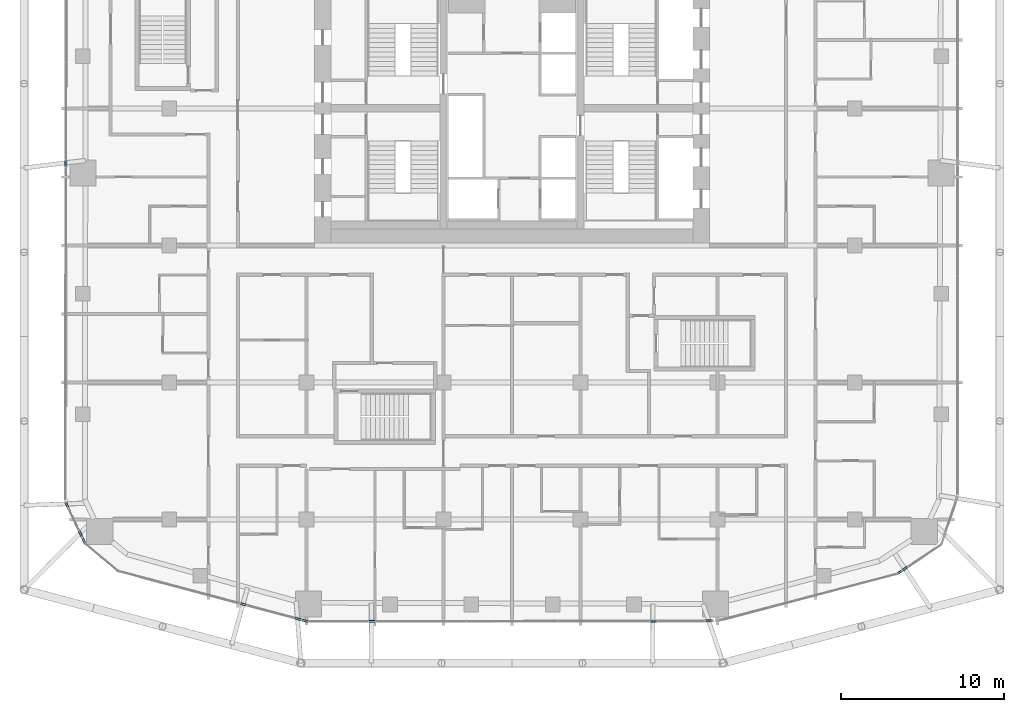
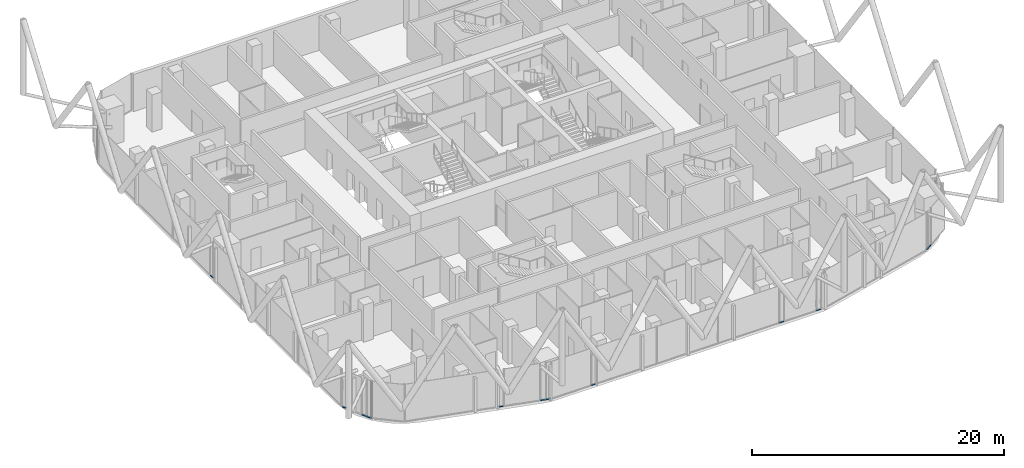
# One storey, part 15 of 36: 12 members, 12 elements without a shape of their own.
"""IFC4 building model written with IfcOpenShell, lengths in metres."""

from ifc_helpers import new_model, si_unit, direction, frame, origin, origin_2d, place, context, subcontext, project, spatial, rectangle, extrude, material, layer, layer_set, material_profile, profile_set, type_object, element, aggregate, save


model = new_model("IFC4")

# Units and contexts
model_context = context("Model", 3, precision=1e-05, world=origin(), true_north=direction((0.0, 1.0)))
body_context = subcontext(model_context, "Body", "Model", "MODEL_VIEW")
ifc_project = project(units=[si_unit("LENGTHUNIT", "METRE"), si_unit("AREAUNIT", "SQUARE_METRE"), si_unit("VOLUMEUNIT", "CUBIC_METRE"), si_unit("PLANEANGLEUNIT", "RADIAN"), si_unit("MASSUNIT", "GRAM", prefix="KILO")], contexts=[model_context])

# Site, building, storey
site_placement = place(None, origin())
site = spatial("IfcSite", under=ifc_project, at=site_placement, CompositionType="ELEMENT")
building_placement = place(site_placement, origin())
building = spatial("IfcBuilding", under=site, at=building_placement, Name="Marenta Gate Hotel Tower", CompositionType="ELEMENT")
storey_placement = place(building_placement, frame((0.0, 0.0, 158.89990234375)))
storey = spatial("IfcBuildingStorey", under=building, at=storey_placement, Name="L37", CompositionType="ELEMENT", Elevation=158.89990234375)

# Curtain wall, member
ifc_material_1 = material(Name="Tinted insulated glass in bronze anodised frame", Category="glass")
ifc_layer = layer(ifc_material_1, 0.1201171875)
ifc_layer_set = layer_set([ifc_layer], Name="Tinted insulated glass in bronze anodised frame")
curtain_wall_type = type_object("IfcCurtainWallType", Name="Tower unitised curtain wall CW1", PredefinedType="NOTDEFINED", material=ifc_layer_set)
curtain_wall_1_placement = place(storey_placement, origin())
curtain_wall_1 = element("IfcCurtainWall", 1, at=curtain_wall_1_placement, inside=storey, type_object=curtain_wall_type, Name="CW1 run G07", PredefinedType="NOTDEFINED")
ifc_material_2 = material(Name="Bronze anodised aluminium", Category="aluminium")
ifc_material_profile = material_profile(ifc_material_2, rectangle(XDim=0.1201171875, YDim=0.06005859375, at=origin_2d()), Name="Transom CW1 60x120 bronze anodised aluminium")
ifc_profile_set = profile_set([ifc_material_profile], Name="Bronze anodised aluminium")
member_type = type_object("IfcMemberType", Name="Transom CW1 60x120 bronze anodised aluminium", PredefinedType="USERDEFINED", material=ifc_profile_set)
member_1_placement = place(storey_placement, frame((-27.34033203125, 5.23193359375, 0.030029296875), z_axis=(-0.00123152616, -0.999999241671, 0.0), x_axis=(0.999999241671, -0.00123152616, 0.0)))
member_1 = element("IfcMember", 2, at=member_1_placement, type_object=member_type, Name="CW1 transom 1.1", ObjectType="TRANSOM", PredefinedType="USERDEFINED", context=body_context, shape_type="SweptSolid", body=[
    extrude(rectangle(XDim=0.1201171875, YDim=0.06005859375, at=origin_2d()), origin(), (0.0, 0.0, 1.0), 0.396484375),
])
aggregate(curtain_wall_1, [member_1])

curtain_wall_2_placement = place(storey_placement, origin())
curtain_wall_2 = element("IfcCurtainWall", 3, at=curtain_wall_2_placement, inside=storey, type_object=curtain_wall_type, Name="CW1 run G09", PredefinedType="NOTDEFINED")
member_2_placement = place(storey_placement, frame((-27.34765625, -15.748046875, 0.030029296875), z_axis=(0.423272916218, -0.906002228693, 0.0), x_axis=(0.906002228693, 0.423272916218, 0.0)))
member_2 = element("IfcMember", 4, at=member_2_placement, type_object=member_type, Name="CW1 transom 1.1", ObjectType="TRANSOM", PredefinedType="USERDEFINED", context=body_context, shape_type="SweptSolid", body=[
    extrude(rectangle(XDim=0.1201171875, YDim=0.06005859375, at=origin_2d()), origin(), (0.0, 0.0, 1.0), 0.344970703125),
])
aggregate(curtain_wall_2, [member_2])

curtain_wall_3_placement = place(storey_placement, origin())
curtain_wall_3 = element("IfcCurtainWall", 5, at=curtain_wall_3_placement, inside=storey, type_object=curtain_wall_type, Name="CW1 run G11", PredefinedType="NOTDEFINED")
member_3_placement = place(storey_placement, frame((-26.544189453125, -17.4677734375, 0.030029296875), z_axis=(0.423960267339, -0.905680789085, 0.0), x_axis=(0.905680789085, 0.423960267339, 0.0)))
member_3 = element("IfcMember", 6, at=member_3_placement, type_object=member_type, Name="CW1 transom 1.1", ObjectType="TRANSOM", PredefinedType="USERDEFINED", context=body_context, shape_type="SweptSolid", body=[
    extrude(rectangle(XDim=0.1201171875, YDim=0.06005859375, at=origin_2d()), origin(), (0.0, 0.0, 1.0), 0.422607421875),
])
aggregate(curtain_wall_3, [member_3])

curtain_wall_4_placement = place(storey_placement, origin())
curtain_wall_4 = element("IfcCurtainWall", 7, at=curtain_wall_4_placement, inside=storey, type_object=curtain_wall_type, Name="CW1 run G12", PredefinedType="NOTDEFINED")
member_4_placement = place(storey_placement, frame((-26.339599609375, -17.905029296875, 0.030029296875), z_axis=(0.42295417161, -0.906151073893, 0.0), x_axis=(0.906151073893, 0.42295417161, 0.0)))
member_4 = element("IfcMember", 8, at=member_4_placement, type_object=member_type, Name="CW1 transom 1.1", ObjectType="TRANSOM", PredefinedType="USERDEFINED", context=body_context, shape_type="SweptSolid", body=[
    extrude(rectangle(XDim=0.1201171875, YDim=0.06005859375, at=origin_2d()), origin(), (0.0, 0.0, 1.0), 0.38916015625),
])
aggregate(curtain_wall_4, [member_4])

curtain_wall_5_placement = place(storey_placement, origin())
curtain_wall_5 = element("IfcCurtainWall", 9, at=curtain_wall_5_placement, inside=storey, type_object=curtain_wall_type, Name="CW1 run G15", PredefinedType="NOTDEFINED")
member_5_placement = place(storey_placement, frame((-16.650390625, -21.94482421875, 0.030029296875), z_axis=(0.966379102199, -0.257121432076, 0.0), x_axis=(0.257121432076, 0.966379102199, 0.0)))
member_5 = element("IfcMember", 10, at=member_5_placement, type_object=member_type, Name="CW1 transom 1.1", ObjectType="TRANSOM", PredefinedType="USERDEFINED", context=body_context, shape_type="SweptSolid", body=[
    extrude(rectangle(XDim=0.1201171875, YDim=0.06005859375, at=origin_2d()), origin(), (0.0, 0.0, 1.0), 0.39306640625),
])
aggregate(curtain_wall_5, [member_5])

curtain_wall_6_placement = place(storey_placement, origin())
curtain_wall_6 = element("IfcCurtainWall", 11, at=curtain_wall_6_placement, inside=storey, type_object=curtain_wall_type, Name="CW1 run G17", PredefinedType="NOTDEFINED")
member_6_placement = place(storey_placement, frame((-13.3193359375, -22.8310546875, 0.030029296875), z_axis=(0.966369996674, -0.257155652336, 0.0), x_axis=(0.257155652336, 0.966369996674, 0.0)))
member_6 = element("IfcMember", 12, at=member_6_placement, type_object=member_type, Name="CW1 transom 1.1", ObjectType="TRANSOM", PredefinedType="USERDEFINED", context=body_context, shape_type="SweptSolid", body=[
    extrude(rectangle(XDim=0.1201171875, YDim=0.06005859375, at=origin_2d()), origin(), (0.0, 0.0, 1.0), 0.419677734375),
])
aggregate(curtain_wall_6, [member_6])

curtain_wall_7_placement = place(storey_placement, origin())
curtain_wall_7 = element("IfcCurtainWall", 13, at=curtain_wall_7_placement, inside=storey, type_object=curtain_wall_type, Name="CW1 run G18", PredefinedType="NOTDEFINED")
member_7_placement = place(storey_placement, frame((-12.855712890625, -22.954345703125, 0.030029296875), z_axis=(0.96625731902, -0.257578713095, 0.0), x_axis=(0.257578713095, 0.96625731902, 0.0)))
member_7 = element("IfcMember", 14, at=member_7_placement, type_object=member_type, Name="CW1 transom 1.1", ObjectType="TRANSOM", PredefinedType="USERDEFINED", context=body_context, shape_type="SweptSolid", body=[
    extrude(rectangle(XDim=0.1201171875, YDim=0.06005859375, at=origin_2d()), origin(), (0.0, 0.0, 1.0), 0.362060546875),
])
aggregate(curtain_wall_7, [member_7])

curtain_wall_8_placement = place(storey_placement, origin())
curtain_wall_8 = element("IfcCurtainWall", 15, at=curtain_wall_8_placement, inside=storey, type_object=curtain_wall_type, Name="CW1 run G20", PredefinedType="NOTDEFINED")
member_8_placement = place(storey_placement, frame((-8.7841796875, -23.04248046875, 0.030029296875), z_axis=(0.999999227466, 0.001243007119, 0.0), x_axis=(-0.001243007119, 0.999999227466, 0.0)))
member_8 = element("IfcMember", 16, at=member_8_placement, type_object=member_type, Name="CW1 transom 1.1", ObjectType="TRANSOM", PredefinedType="USERDEFINED", context=body_context, shape_type="SweptSolid", body=[
    extrude(rectangle(XDim=0.1201171875, YDim=0.06005859375, at=origin_2d()), origin(), (0.0, 0.0, 1.0), 0.392822265625),
])
aggregate(curtain_wall_8, [member_8])

curtain_wall_9_placement = place(storey_placement, origin())
curtain_wall_9 = element("IfcCurtainWall", 17, at=curtain_wall_9_placement, inside=storey, type_object=curtain_wall_type, Name="CW1 run G22", PredefinedType="NOTDEFINED")
member_9_placement = place(storey_placement, frame((8.4677734375, -23.018798828125, 0.030029296875), z_axis=(0.999999228426, 0.001242235066, 0.0), x_axis=(-0.001242235066, 0.999999228426, 0.0)))
member_9 = element("IfcMember", 18, at=member_9_placement, type_object=member_type, Name="CW1 transom 1.1", ObjectType="TRANSOM", PredefinedType="USERDEFINED", context=body_context, shape_type="SweptSolid", body=[
    extrude(rectangle(XDim=0.1201171875, YDim=0.06005859375, at=origin_2d()), origin(), (0.0, 0.0, 1.0), 0.39306640625),
])
aggregate(curtain_wall_9, [member_9])

curtain_wall_10_placement = place(storey_placement, origin())
curtain_wall_10 = element("IfcCurtainWall", 19, at=curtain_wall_10_placement, inside=storey, type_object=curtain_wall_type, Name="CW1 run G24", PredefinedType="NOTDEFINED")
member_10_placement = place(storey_placement, frame((11.881591796875, -23.01416015625, 0.030029296875), z_axis=(0.999999071937, 0.001362396556, 0.0), x_axis=(-0.001362396556, 0.999999071937, 0.0)))
member_10 = element("IfcMember", 20, at=member_10_placement, type_object=member_type, Name="CW1 transom 1.1", ObjectType="TRANSOM", PredefinedType="USERDEFINED", context=body_context, shape_type="SweptSolid", body=[
    extrude(rectangle(XDim=0.1201171875, YDim=0.06005859375, at=origin_2d()), origin(), (0.0, 0.0, 1.0), 0.3583984375),
])
aggregate(curtain_wall_10, [member_10])

curtain_wall_11_placement = place(storey_placement, origin())
curtain_wall_11 = element("IfcCurtainWall", 21, at=curtain_wall_11_placement, inside=storey, type_object=curtain_wall_type, Name="CW1 run G26", PredefinedType="NOTDEFINED")
member_11_placement = place(storey_placement, frame((23.657470703125, -20.096435546875, 0.030029296875), z_axis=(0.832603197014, 0.553869945314, 0.0), x_axis=(-0.553869945314, 0.832603197014, 0.0)))
member_11 = element("IfcMember", 22, at=member_11_placement, type_object=member_type, Name="CW1 transom 1.1", ObjectType="TRANSOM", PredefinedType="USERDEFINED", context=body_context, shape_type="SweptSolid", body=[
    extrude(rectangle(XDim=0.1201171875, YDim=0.06005859375, at=origin_2d()), origin(), (0.0, 0.0, 1.0), 0.271484375),
])
aggregate(curtain_wall_11, [member_11])

curtain_wall_12_placement = place(storey_placement, origin())
curtain_wall_12 = element("IfcCurtainWall", 23, at=curtain_wall_12_placement, inside=storey, type_object=curtain_wall_type, Name="CW1 run G27", PredefinedType="NOTDEFINED")
member_12_placement = place(storey_placement, frame((23.93359375, -19.912841796875, 0.030029296875), z_axis=(0.832432384861, 0.55412663231, 0.0), x_axis=(-0.55412663231, 0.832432384861, 0.0)))
member_12 = element("IfcMember", 24, at=member_12_placement, type_object=member_type, Name="CW1 transom 1.1", ObjectType="TRANSOM", PredefinedType="USERDEFINED", context=body_context, shape_type="SweptSolid", body=[
    extrude(rectangle(XDim=0.1201171875, YDim=0.06005859375, at=origin_2d()), origin(), (0.0, 0.0, 1.0), 0.39306640625),
])
aggregate(curtain_wall_12, [member_12])

save(model, "model.ifc")
